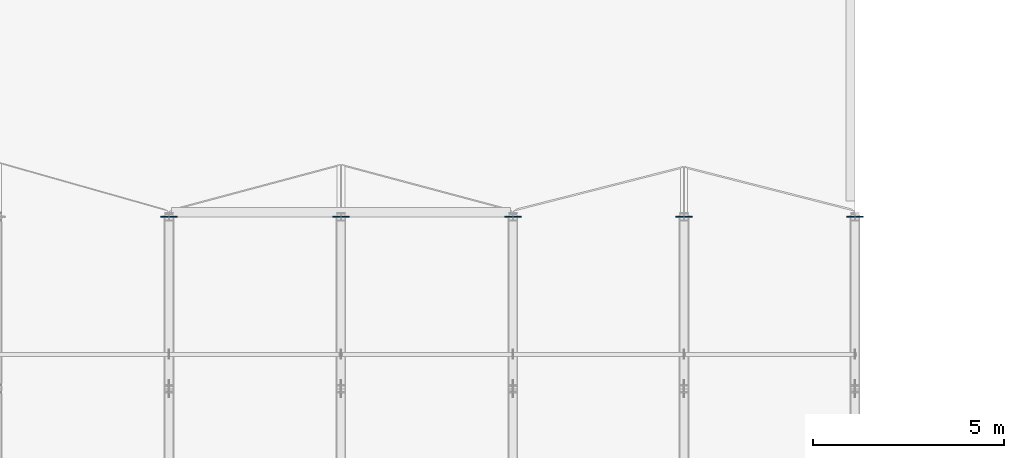
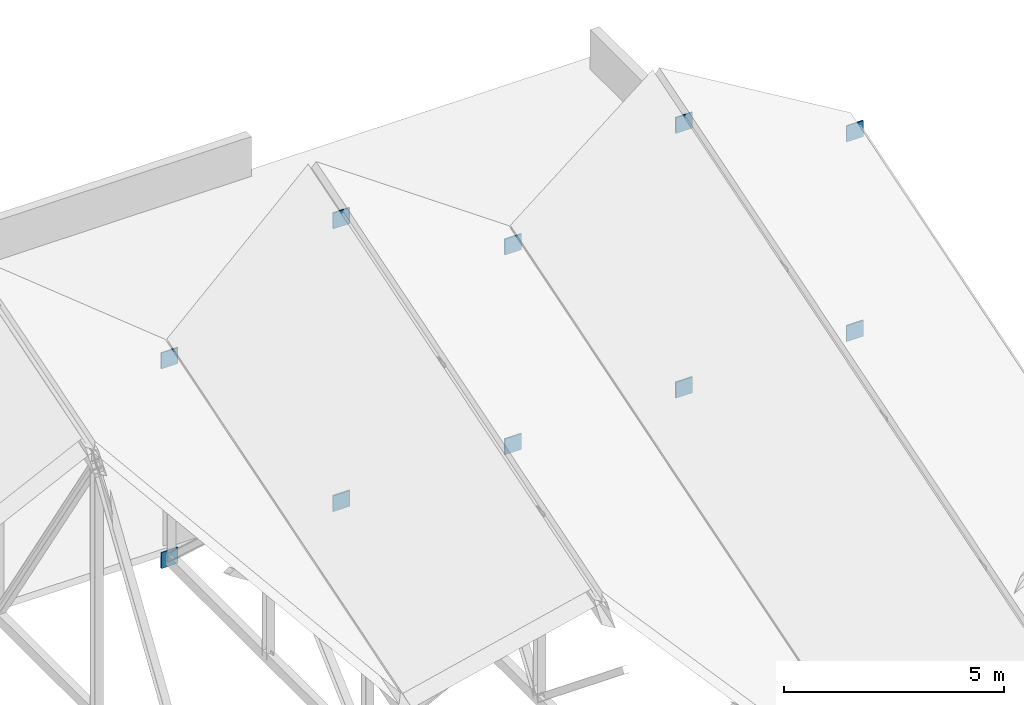
# One storey, part 125 of 142: 10 plates.
"""IFC4 building model written with IfcOpenShell, lengths in metres."""

from ifc_helpers import new_model, si_unit, direction, frame, origin, origin_2d, place, context, subcontext, project, spatial, rectangle, extrude, material, layer, layer_set, type_object, element, save


model = new_model("IFC4")

# Units and contexts
model_context = context("Model", 3, precision=1e-05, world=origin(), true_north=direction((0.0, 1.0)))
body_context = subcontext(model_context, "Body", "Model", "MODEL_VIEW")
ifc_project = project(units=[si_unit("LENGTHUNIT", "METRE"), si_unit("AREAUNIT", "SQUARE_METRE"), si_unit("VOLUMEUNIT", "CUBIC_METRE"), si_unit("PLANEANGLEUNIT", "RADIAN"), si_unit("MASSUNIT", "GRAM", prefix="KILO")], contexts=[model_context])

# Site, building, storey
site_placement = place(None, origin())
site = spatial("IfcSite", under=ifc_project, at=site_placement, CompositionType="ELEMENT")
building_placement = place(site_placement, origin())
building = spatial("IfcBuilding", under=site, at=building_placement, Name="Montelvaro Courts of Justice", CompositionType="ELEMENT")
storey_placement = place(building_placement, frame((0.0, 0.0, 14.39990234375)))
storey = spatial("IfcBuildingStorey", under=building, at=storey_placement, Name="L03", CompositionType="ELEMENT", Elevation=14.39990234375)

# Plates
ifc_material = material(Name="Steel S355", Category="steel")
ifc_layer = layer(ifc_material, 0.035888671875)
ifc_layer_set = layer_set([ifc_layer], Name="Steel S355")
plate_type = type_object("IfcPlateType", Name="EndCapPlate_36", PredefinedType="USERDEFINED", material=ifc_layer_set)
for number, where, z_axis, x_axis, name in (
    (1, (63.0, 96.0, -0.519775390625), (0.0, 0.0, 1.0), (1.0, 0.0, 0.0), "Roof Truss End Cap Plate CP-02 ROOF-V1-VTR06-B1"),
    (2, (63.0, 96.0, 5.010009765625), (0.0, 0.0, 1.0), (1.0, 0.0, 0.0), "Roof Truss End Cap Plate CP-02 ROOF-V1-VTR06-T1"),
    (3, (72.0, 96.0, -0.519775390625), (0.0, 0.0, 1.0), (1.0, 0.0, 0.0), "Roof Truss End Cap Plate CP-02 ROOF-V1-VTR07-B1"),
    (4, (72.0, 96.0, 5.010009765625), (0.0, 0.0, 1.0), (1.0, 0.0, 0.0), "Roof Truss End Cap Plate CP-02 ROOF-V1-VTR07-T1"),
    (5, (80.949951171875, 96.0, -0.519775390625), (0.0, 0.0, 1.0), (1.0, 0.0, 0.0), "Roof Truss End Cap Plate CP-02 ROOF-V1-VTR08-B1"),
    (6, (80.949951171875, 96.0, 5.010009765625), (0.0, 0.0, 1.0), (1.0, 0.0, 0.0), "Roof Truss End Cap Plate CP-02 ROOF-V1-VTR08-T1"),
    (7, (67.5, 96.0, -0.519775390625), (0.0, 0.0, 1.0), (1.0, 0.0, 0.0), "Roof Truss End Cap Plate CP-02 ROOF-V1-RTR06-B1"),
    (8, (67.5, 96.0, 7.31005859375), (0.0, 0.0, 1.0), (1.0, 0.0, 0.0), "Roof Truss End Cap Plate CP-02 ROOF-V1-RTR06-T1"),
    (9, (76.47509765625, 96.0, -0.519775390625), (0.0, 0.0, 1.0), (1.0, 0.0, 0.0), "Roof Truss End Cap Plate CP-02 ROOF-V1-RTR07-B1"),
    (10, (76.47509765625, 96.0, 6.81005859375), (0.0, 0.0, 1.0), (1.0, 0.0, 0.0), "Roof Truss End Cap Plate CP-02 ROOF-V1-RTR07-T1"),
):
    element("IfcPlate", number, at=place(storey_placement, frame(where, z_axis=z_axis, x_axis=x_axis)), inside=storey, type_object=plate_type, Name=name, ObjectType="GUSSET PLATE", PredefinedType="USERDEFINED", context=body_context, shape_type="SweptSolid", body=[
        extrude(rectangle(XDim=0.43994140625, YDim=0.035888671875, at=origin_2d()), origin(), (0.0, 0.0, 1.0), 0.43994140625),
    ])

save(model, "model.ifc")
